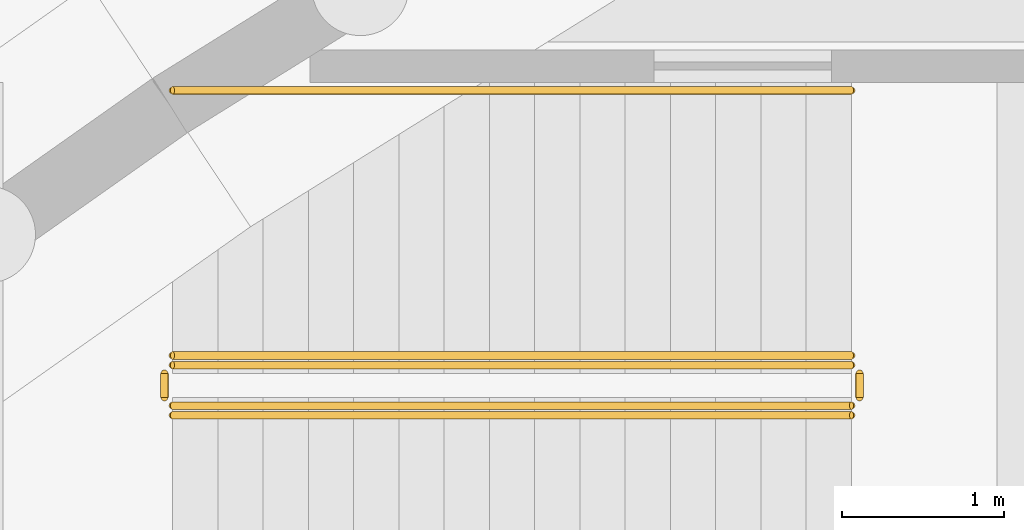
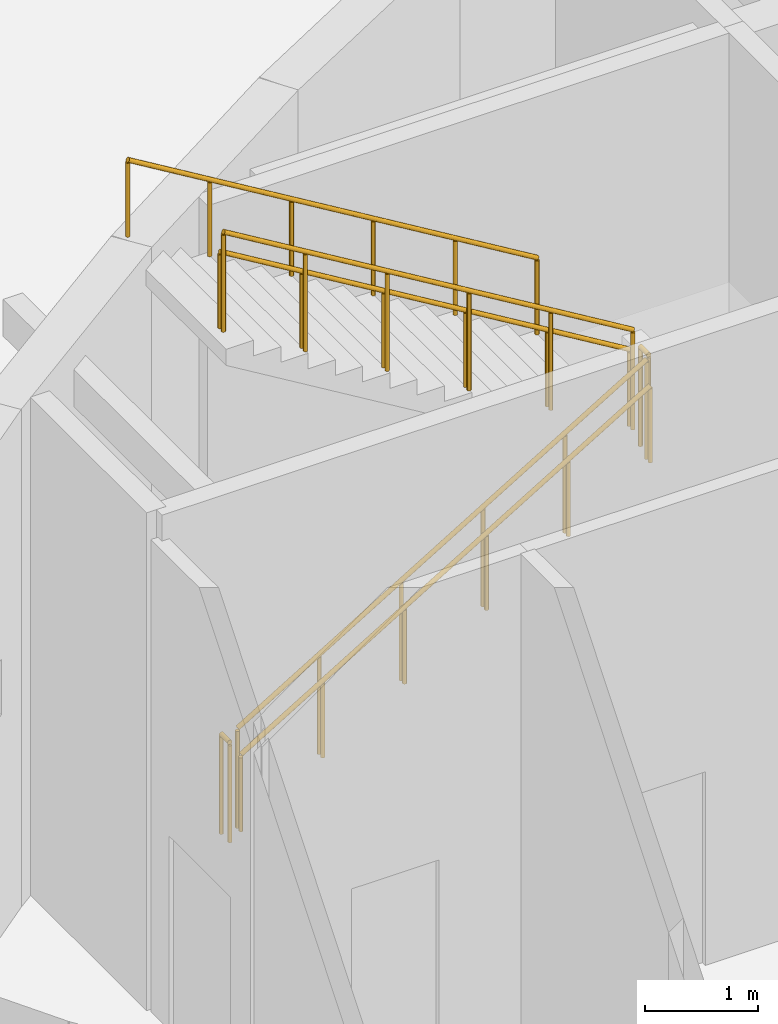
# One storey, part 79 of 82: 7 railings.
"""IFC4 building model written with IfcOpenShell, lengths in metres."""

from ifc_helpers import new_model, si_unit, direction, frame, origin, origin_2d, place, context, subcontext, project, spatial, circle, extrude, material, type_object, element, save


model = new_model("IFC4")

# Units and contexts
model_context = context("Model", 3, precision=1e-05, world=origin(), true_north=direction((0.0, 1.0)))
body_context = subcontext(model_context, "Body", "Model", "MODEL_VIEW")
ifc_project = project(units=[si_unit("LENGTHUNIT", "METRE"), si_unit("AREAUNIT", "SQUARE_METRE"), si_unit("VOLUMEUNIT", "CUBIC_METRE"), si_unit("PLANEANGLEUNIT", "RADIAN"), si_unit("MASSUNIT", "GRAM", prefix="KILO")], contexts=[model_context])

# Site, building, storey
site_placement = place(None, origin())
site = spatial("IfcSite", under=ifc_project, at=site_placement, CompositionType="ELEMENT")
building_placement = place(site_placement, origin())
building = spatial("IfcBuilding", under=site, at=building_placement, Name="Tide Square Theatres", CompositionType="ELEMENT")
storey_placement = place(building_placement, origin())
storey = spatial("IfcBuildingStorey", under=building, at=storey_placement, Name="L00", CompositionType="ELEMENT", Elevation=0.0)

# Railings
ifc_material_1 = material(Name="Painted steel", Category="steel")
railing_type_1 = type_object("IfcRailingType", Name="Steel guard 1100", PredefinedType="GUARDRAIL", material=ifc_material_1)
railing_1_placement = place(storey_placement, frame((103.60009765625, 100.550048828125, 0.168701171875)))
element("IfcRailing", 1, at=railing_1_placement, inside=storey, type_object=railing_type_1, Name="L00 RST-1 stair guard 1", PredefinedType="GUARDRAIL", context=body_context, shape_type="SweptSolid", body=[
    extrude(circle(Radius=0.02392578125, at=origin_2d()), frame((0.0, 0.0, 1.076171875), z_axis=(0.856476492594, 0.0, 0.516186030065), x_axis=(0.0, 1.0, 0.0)), (0.0, 0.0, 1.0), 4.90380859375),
    extrude(circle(Radius=0.02099609375, at=origin_2d()), origin(), (0.0, 0.0, 1.0), 1.052001953125),
    extrude(circle(Radius=0.02099609375, at=origin_2d()), frame((0.840087890625, 0.0, 0.50634765625)), (0.0, 0.0, 1.0), 1.052001953125),
    extrude(circle(Radius=0.02099609375, at=origin_2d()), frame((1.679931640625, 0.0, 1.012451171875)), (0.0, 0.0, 1.0), 1.052001953125),
    extrude(circle(Radius=0.02099609375, at=origin_2d()), frame((2.52001953125, 0.0, 1.518798828125)), (0.0, 0.0, 1.0), 1.052001953125),
    extrude(circle(Radius=0.02099609375, at=origin_2d()), frame((3.35986328125, 0.0, 2.02490234375)), (0.0, 0.0, 1.0), 1.052001953125),
    extrude(circle(Radius=0.02099609375, at=origin_2d()), frame((4.199951171875, 0.0, 2.53125)), (0.0, 0.0, 1.0), 1.052001953125),
])
railing_2_placement = place(storey_placement, frame((107.85009765625, 100.60009765625, 2.699951171875)))
element("IfcRailing", 2, at=railing_2_placement, inside=storey, type_object=railing_type_1, Name="L00 RST-1 stair guard 2", PredefinedType="GUARDRAIL", context=body_context, shape_type="SweptSolid", body=[
    extrude(circle(Radius=0.02392578125, at=origin_2d()), frame((0.0, 0.0, 1.076171875), z_axis=(0.0, 1.0, 0.0), x_axis=(-1.0, 0.0, 0.0)), (0.0, 0.0, 1.0), 0.14990234375),
    extrude(circle(Radius=0.02099609375, at=origin_2d()), origin(), (0.0, 0.0, 1.0), 1.052001953125),
    extrude(circle(Radius=0.02099609375, at=origin_2d()), frame((0.0, 0.14990234375, 0.0)), (0.0, 0.0, 1.0), 1.052001953125),
])
railing_3_placement = place(storey_placement, frame((107.800048828125, 100.800048828125, 2.86865234375)))
element("IfcRailing", 3, at=railing_3_placement, inside=storey, type_object=railing_type_1, Name="L00 RST-1 stair guard 3", PredefinedType="GUARDRAIL", context=body_context, shape_type="SweptSolid", body=[
    extrude(circle(Radius=0.02392578125, at=origin_2d()), frame((0.0, 0.0, 1.076171875), z_axis=(-0.856476492594, 0.0, 0.516186030065), x_axis=(0.0, -1.0, 0.0)), (0.0, 0.0, 1.0), 4.90380859375),
    extrude(circle(Radius=0.02099609375, at=origin_2d()), origin(), (0.0, 0.0, 1.0), 1.052001953125),
    extrude(circle(Radius=0.02099609375, at=origin_2d()), frame((-0.840087890625, 0.0, 0.50634765625)), (0.0, 0.0, 1.0), 1.052001953125),
    extrude(circle(Radius=0.02099609375, at=origin_2d()), frame((-1.679931640625, 0.0, 1.012451171875)), (0.0, 0.0, 1.0), 1.052001953125),
    extrude(circle(Radius=0.02099609375, at=origin_2d()), frame((-2.52001953125, 0.0, 1.518798828125)), (0.0, 0.0, 1.0), 1.052001953125),
    extrude(circle(Radius=0.02099609375, at=origin_2d()), frame((-3.35986328125, 0.0, 2.02490234375)), (0.0, 0.0, 1.0), 1.052001953125),
    extrude(circle(Radius=0.02099609375, at=origin_2d()), frame((-4.199951171875, 0.0, 2.53125)), (0.0, 0.0, 1.0), 1.052001953125),
])
railing_4_placement = place(storey_placement, frame((103.550048828125, 100.60009765625, 0.0)))
element("IfcRailing", 4, at=railing_4_placement, inside=storey, type_object=railing_type_1, Name="L00 RST-1 stair guard 4", PredefinedType="GUARDRAIL", context=body_context, shape_type="SweptSolid", body=[
    extrude(circle(Radius=0.02392578125, at=origin_2d()), frame((0.0, 0.0, 1.076171875), z_axis=(0.0, 1.0, 0.0), x_axis=(-1.0, 0.0, 0.0)), (0.0, 0.0, 1.0), 0.14990234375),
    extrude(circle(Radius=0.02099609375, at=origin_2d()), origin(), (0.0, 0.0, 1.0), 1.052001953125),
    extrude(circle(Radius=0.02099609375, at=origin_2d()), frame((0.0, 0.14990234375, 0.0)), (0.0, 0.0, 1.0), 1.052001953125),
])
ifc_material_2 = material(Name="Painted steel", Category="steel")
railing_type_2 = type_object("IfcRailingType", Name="Steel handrail 850", PredefinedType="HANDRAIL", material=ifc_material_2)
railing_5_placement = place(storey_placement, frame((103.60009765625, 100.489990234375, 0.168701171875)))
element("IfcRailing", 5, at=railing_5_placement, inside=storey, type_object=railing_type_2, Name="L00 RST-1 stair handrail 2", PredefinedType="HANDRAIL", context=body_context, shape_type="SweptSolid", body=[
    extrude(circle(Radius=0.02392578125, at=origin_2d()), frame((0.0, 0.0, 0.826171875), z_axis=(0.856476492594, 0.0, 0.516186030065), x_axis=(0.0, 1.0, 0.0)), (0.0, 0.0, 1.0), 4.90380859375),
    extrude(circle(Radius=0.02099609375, at=origin_2d()), origin(), (0.0, 0.0, 1.0), 0.802001953125),
    extrude(circle(Radius=0.02099609375, at=origin_2d()), frame((0.840087890625, 0.0, 0.50634765625)), (0.0, 0.0, 1.0), 0.802001953125),
    extrude(circle(Radius=0.02099609375, at=origin_2d()), frame((1.679931640625, 0.0, 1.012451171875)), (0.0, 0.0, 1.0), 0.802001953125),
    extrude(circle(Radius=0.02099609375, at=origin_2d()), frame((2.52001953125, 0.0, 1.518798828125)), (0.0, 0.0, 1.0), 0.802001953125),
    extrude(circle(Radius=0.02099609375, at=origin_2d()), frame((3.35986328125, 0.0, 2.02490234375)), (0.0, 0.0, 1.0), 0.802001953125),
    extrude(circle(Radius=0.02099609375, at=origin_2d()), frame((4.199951171875, 0.0, 2.53125)), (0.0, 0.0, 1.0), 0.802001953125),
])
for number, where, name in (
    (6, (107.800048828125, 102.5, 2.86865234375), "L00 RST-1 stair handrail 3"),
    (7, (107.800048828125, 100.860107421875, 2.86865234375), "L00 RST-1 stair handrail 4"),
):
    element("IfcRailing", number, at=place(storey_placement, frame(where)), inside=storey, type_object=railing_type_2, Name=name, PredefinedType="HANDRAIL", context=body_context, shape_type="SweptSolid", body=[
        extrude(circle(Radius=0.02392578125, at=origin_2d()), frame((0.0, 0.0, 0.826171875), z_axis=(-0.856476492594, 0.0, 0.516186030065), x_axis=(0.0, -1.0, 0.0)), (0.0, 0.0, 1.0), 4.90380859375),
        extrude(circle(Radius=0.02099609375, at=origin_2d()), origin(), (0.0, 0.0, 1.0), 0.802001953125),
        extrude(circle(Radius=0.02099609375, at=origin_2d()), frame((-0.840087890625, 0.0, 0.50634765625)), (0.0, 0.0, 1.0), 0.802001953125),
        extrude(circle(Radius=0.02099609375, at=origin_2d()), frame((-1.679931640625, 0.0, 1.012451171875)), (0.0, 0.0, 1.0), 0.802001953125),
        extrude(circle(Radius=0.02099609375, at=origin_2d()), frame((-2.52001953125, 0.0, 1.518798828125)), (0.0, 0.0, 1.0), 0.802001953125),
        extrude(circle(Radius=0.02099609375, at=origin_2d()), frame((-3.35986328125, 0.0, 2.02490234375)), (0.0, 0.0, 1.0), 0.802001953125),
        extrude(circle(Radius=0.02099609375, at=origin_2d()), frame((-4.199951171875, 0.0, 2.53125)), (0.0, 0.0, 1.0), 0.802001953125),
    ])

save(model, "model.ifc")
